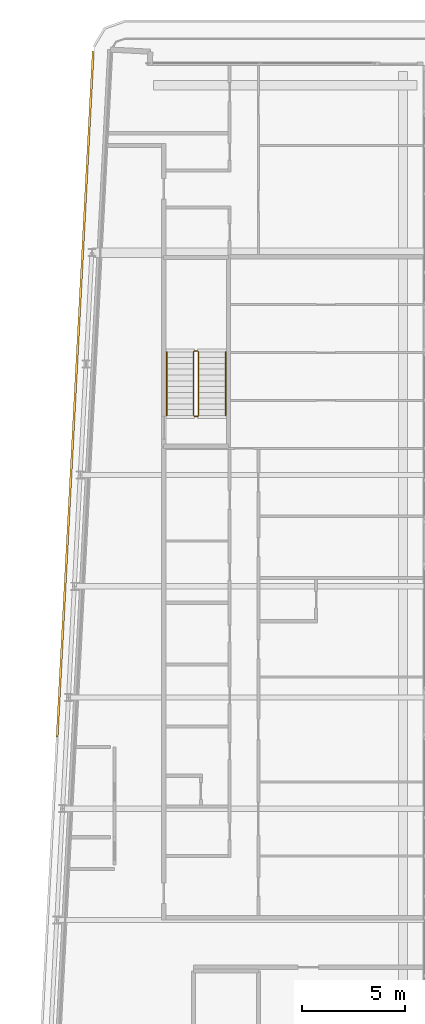
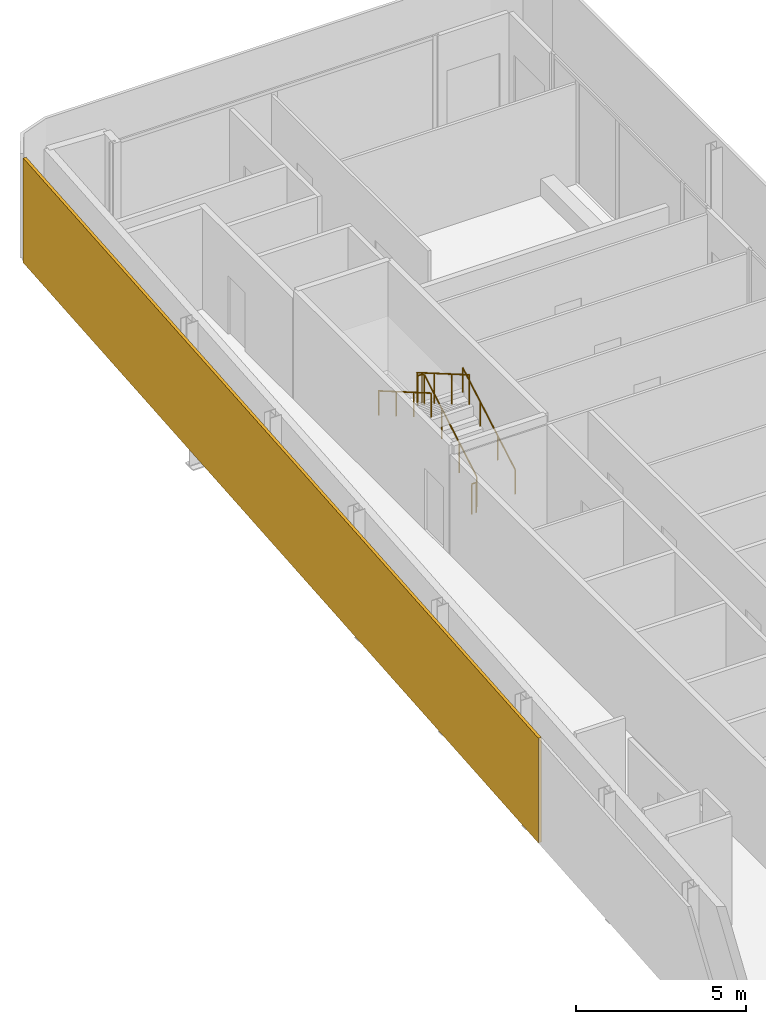
# One storey, part 16 of 18: 4 railings, 1 shading device.
"""IFC4 building model written with IfcOpenShell, lengths in metres."""

from ifc_helpers import new_model, si_unit, direction, frame, origin, origin_2d, place, context, subcontext, project, spatial, rectangle, circle, extrude, material, layer, layer_set, type_object, element, save


model = new_model("IFC4")

# Units and contexts
model_context = context("Model", 3, precision=1e-05, world=origin(), true_north=direction((0.0, 1.0)))
body_context = subcontext(model_context, "Body", "Model", "MODEL_VIEW")
ifc_project = project(units=[si_unit("LENGTHUNIT", "METRE"), si_unit("AREAUNIT", "SQUARE_METRE"), si_unit("VOLUMEUNIT", "CUBIC_METRE"), si_unit("PLANEANGLEUNIT", "RADIAN"), si_unit("MASSUNIT", "GRAM", prefix="KILO")], contexts=[model_context])

# Site, building, storey
site_placement = place(None, origin())
site = spatial("IfcSite", under=ifc_project, at=site_placement, CompositionType="ELEMENT")
building_placement = place(site_placement, origin())
building = spatial("IfcBuilding", under=site, at=building_placement, Name="Kheshtan School and Residences Tower", CompositionType="ELEMENT")
storey_placement = place(building_placement, frame((0.0, 0.0, 385.10009765625)))
storey = spatial("IfcBuildingStorey", under=building, at=storey_placement, Name="L91", CompositionType="ELEMENT", Elevation=385.10009765625)

# Shading device
ifc_material_1 = material(Name="Terracotta baguette, extruded ceramic", Category="masonry")
ifc_layer = layer(ifc_material_1, 0.10009765625)
ifc_layer_set = layer_set([ifc_layer], Name="Ledge screen, terracotta baguettes")
shading_device_type = type_object("IfcShadingDeviceType", Name="Ledge screen, terracotta baguettes", PredefinedType="USERDEFINED", material=ifc_layer_set)
shading_device_placement = place(storey_placement, frame((28.9990234375, 81.93408203125, 0.0), z_axis=(0.0, 0.0, 1.0), x_axis=(0.052562536748, 0.998617634398, 0.0)))
element("IfcShadingDevice", 1, at=shading_device_placement, inside=storey, type_object=shading_device_type, Name="Screen L91 5", ObjectType="BAGUETTE", PredefinedType="USERDEFINED", context=body_context, shape_type="SweptSolid", body=[
    extrude(rectangle(XDim=33.341064453125, YDim=0.10009765625, at=origin_2d()), origin(), (0.0, 0.0, 1.0), 3.75),
])

# Railings
ifc_material_2 = material(Name="Stainless steel balustrade", Category="steel")
railing_type_1 = type_object("IfcRailingType", Name="Stair guard 1100", PredefinedType="GUARDRAIL", material=ifc_material_2)
railing_1_placement = place(storey_placement, frame((35.0, 80.89990234375, 0.162353515625)))
element("IfcRailing", 2, at=railing_1_placement, inside=storey, type_object=railing_type_1, Name="L91 ST3 stair guard 1", PredefinedType="GUARDRAIL", context=body_context, shape_type="SweptSolid", body=[
    extrude(circle(Radius=0.02392578125, at=origin_2d()), frame((0.0, 0.0, 1.076171875), z_axis=(0.0, 0.864890721111, 0.501960198159), x_axis=(-1.0, 0.0, 0.0)), (0.0, 0.0, 1.0), 3.561279296875),
    extrude(circle(Radius=0.02392578125, at=origin_2d()), frame((0.0, 3.080078125, 2.86376953125), z_axis=(-0.707106781187, 0.707106781187, 0.0), x_axis=(-0.707106781187, -0.707106781187, 0.0)), (0.0, 0.0, 1.0), 0.07080078125),
    extrude(circle(Radius=0.02392578125, at=origin_2d()), frame((-0.050048828125, 3.130126953125, 2.86376953125), z_axis=(-1.0, 0.0, 0.0), x_axis=(0.0, -1.0, 0.0)), (0.0, 0.0, 1.0), 0.14990234375),
    extrude(circle(Radius=0.02392578125, at=origin_2d()), frame((-0.199951171875, 3.130126953125, 2.86376953125), z_axis=(-0.282583949758, -0.282583949758, 0.916674763849), x_axis=(0.707106781187, -0.707106781187, 0.0)), (0.0, 0.0, 1.0), 0.177001953125),
    extrude(circle(Radius=0.02392578125, at=origin_2d()), frame((-0.25, 3.080078125, 3.02587890625), z_axis=(0.0, -0.864890721111, 0.501960198159), x_axis=(1.0, 0.0, 0.0)), (0.0, 0.0, 1.0), 3.561279296875),
    extrude(circle(Radius=0.02099609375, at=origin_2d()), origin(), (0.0, 0.0, 1.0), 1.052001953125),
    extrude(circle(Radius=0.02099609375, at=origin_2d()), frame((0.0, 1.026611328125, 0.595947265625)), (0.0, 0.0, 1.0), 1.052001953125),
    extrude(circle(Radius=0.02099609375, at=origin_2d()), frame((0.0, 2.053466796875, 1.191650390625)), (0.0, 0.0, 1.0), 1.052001953125),
    extrude(circle(Radius=0.02099609375, at=origin_2d()), frame((0.0, 3.080078125, 1.78759765625)), (0.0, 0.0, 1.0), 1.052001953125),
    extrude(circle(Radius=0.02099609375, at=origin_2d()), frame((-0.050048828125, 3.130126953125, 1.78759765625)), (0.0, 0.0, 1.0), 1.052001953125),
    extrude(circle(Radius=0.02099609375, at=origin_2d()), frame((-0.199951171875, 3.130126953125, 1.78759765625)), (0.0, 0.0, 1.0), 1.052001953125),
    extrude(circle(Radius=0.02099609375, at=origin_2d()), frame((-0.25, 3.080078125, 1.949951171875)), (0.0, 0.0, 1.0), 1.052001953125),
    extrude(circle(Radius=0.02099609375, at=origin_2d()), frame((-0.25, 2.053466796875, 2.5458984375)), (0.0, 0.0, 1.0), 1.052001953125),
    extrude(circle(Radius=0.02099609375, at=origin_2d()), frame((-0.25, 1.026611328125, 3.1416015625)), (0.0, 0.0, 1.0), 1.052001953125),
    extrude(circle(Radius=0.02099609375, at=origin_2d()), frame((-0.25, 0.0, 3.737548828125)), (0.0, 0.0, 1.0), 1.052001953125),
])
railing_2_placement = place(storey_placement, frame((34.949951171875, 80.85009765625, 0.0)))
element("IfcRailing", 3, at=railing_2_placement, inside=storey, type_object=railing_type_1, Name="L91 ST3 stair guard 2", PredefinedType="GUARDRAIL", context=body_context, shape_type="SweptSolid", body=[
    extrude(circle(Radius=0.02392578125, at=origin_2d()), frame((0.0, 0.0, 1.076171875), z_axis=(-1.0, 0.0, 0.0), x_axis=(0.0, -1.0, 0.0)), (0.0, 0.0, 1.0), 0.14990234375),
    extrude(circle(Radius=0.02099609375, at=origin_2d()), origin(), (0.0, 0.0, 1.0), 1.052001953125),
    extrude(circle(Radius=0.02099609375, at=origin_2d()), frame((-0.14990234375, 0.0, 0.0)), (0.0, 0.0, 1.0), 1.052001953125),
])
ifc_material_3 = material(Name="Stainless steel handrail", Category="steel")
railing_type_2 = type_object("IfcRailingType", Name="Stair handrail 900", PredefinedType="HANDRAIL", material=ifc_material_3)
railing_3_placement = place(storey_placement, frame((36.300048828125, 80.89990234375, 0.162353515625)))
element("IfcRailing", 4, at=railing_3_placement, inside=storey, type_object=railing_type_2, Name="L91 ST3 stair handrail 1", PredefinedType="HANDRAIL", context=body_context, shape_type="SweptSolid", body=[
    extrude(circle(Radius=0.02392578125, at=origin_2d()), frame((0.0, 0.0, 0.8759765625), z_axis=(0.0, 0.864890721111, 0.501960198159), x_axis=(-1.0, 0.0, 0.0)), (0.0, 0.0, 1.0), 3.561279296875),
    extrude(circle(Radius=0.02099609375, at=origin_2d()), origin(), (0.0, 0.0, 1.0), 0.851806640625),
    extrude(circle(Radius=0.02099609375, at=origin_2d()), frame((0.0, 1.026611328125, 0.595947265625)), (0.0, 0.0, 1.0), 0.851806640625),
    extrude(circle(Radius=0.02099609375, at=origin_2d()), frame((0.0, 2.053466796875, 1.191650390625)), (0.0, 0.0, 1.0), 0.851806640625),
    extrude(circle(Radius=0.02099609375, at=origin_2d()), frame((0.0, 3.080078125, 1.78759765625)), (0.0, 0.0, 1.0), 0.851806640625),
])
railing_4_placement = place(storey_placement, frame((33.449951171875, 83.97998046875, 2.1123046875)))
element("IfcRailing", 5, at=railing_4_placement, inside=storey, type_object=railing_type_2, Name="L91 ST3 stair handrail 2", PredefinedType="HANDRAIL", context=body_context, shape_type="SweptSolid", body=[
    extrude(circle(Radius=0.02392578125, at=origin_2d()), frame((0.0, 0.0, 0.8759765625), z_axis=(0.0, -0.864890721111, 0.501960198159), x_axis=(1.0, 0.0, 0.0)), (0.0, 0.0, 1.0), 3.561279296875),
    extrude(circle(Radius=0.02099609375, at=origin_2d()), origin(), (0.0, 0.0, 1.0), 0.851806640625),
    extrude(circle(Radius=0.02099609375, at=origin_2d()), frame((0.0, -1.026611328125, 0.595947265625)), (0.0, 0.0, 1.0), 0.851806640625),
    extrude(circle(Radius=0.02099609375, at=origin_2d()), frame((0.0, -2.053466796875, 1.191650390625)), (0.0, 0.0, 1.0), 0.851806640625),
    extrude(circle(Radius=0.02099609375, at=origin_2d()), frame((0.0, -3.080078125, 1.78759765625)), (0.0, 0.0, 1.0), 0.851806640625),
])

save(model, "model.ifc")
